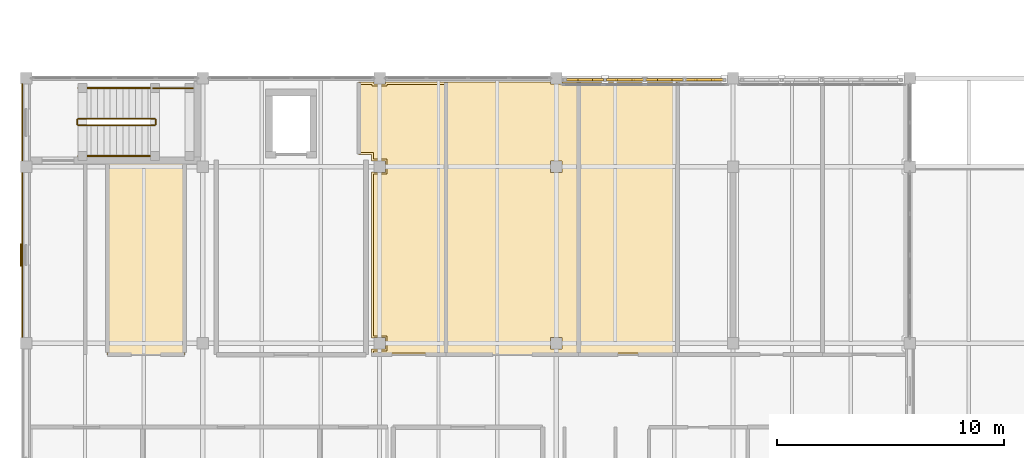
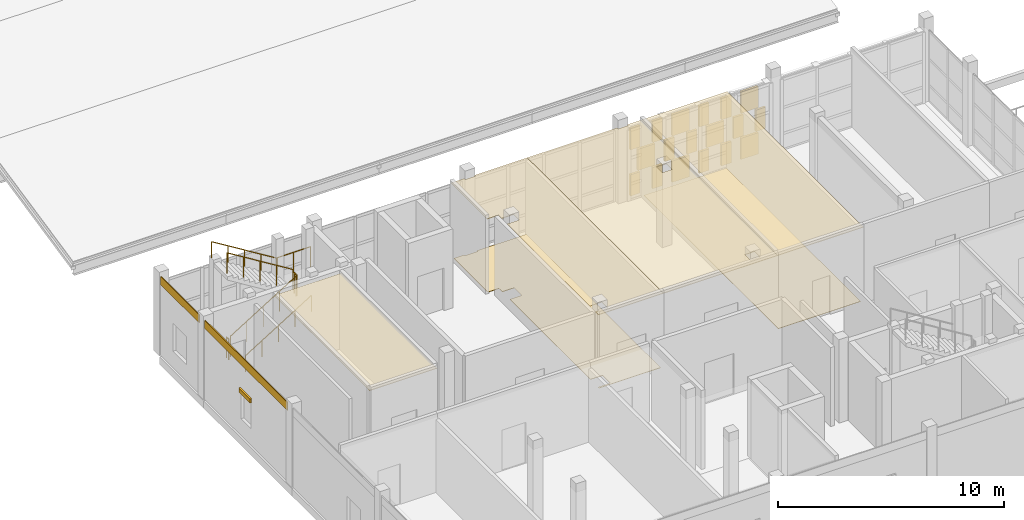
# One storey, part 75 of 89: 26 coverings, 7 railings, 1 shading device.
"""IFC4 building model written with IfcOpenShell, lengths in metres."""

from ifc_helpers import new_model, si_unit, direction, frame, origin, origin_2d, place, context, subcontext, project, spatial, polyline, rectangle, circle, outline, extrude, material, layer, layer_set, type_object, element, save


model = new_model("IFC4")

# Units and contexts
model_context = context("Model", 3, precision=1e-05, world=origin(), true_north=direction((0.0, 1.0)))
body_context = subcontext(model_context, "Body", "Model", "MODEL_VIEW")
ifc_project = project(units=[si_unit("LENGTHUNIT", "METRE"), si_unit("AREAUNIT", "SQUARE_METRE"), si_unit("VOLUMEUNIT", "CUBIC_METRE"), si_unit("PLANEANGLEUNIT", "RADIAN"), si_unit("MASSUNIT", "GRAM", prefix="KILO")], contexts=[model_context])

# Site, building, storey
site_placement = place(None, origin())
site = spatial("IfcSite", under=ifc_project, at=site_placement, CompositionType="ELEMENT")
building_placement = place(site_placement, origin())
building = spatial("IfcBuilding", under=site, at=building_placement, Name="Celorna Specialist Clinic", CompositionType="ELEMENT")
storey_placement = place(building_placement, frame((0.0, 0.0, 14.10009765625)))
storey = spatial("IfcBuildingStorey", under=building, at=storey_placement, Name="L03", CompositionType="ELEMENT", Elevation=14.10009765625)

# Coverings
ifc_material_1 = material(Name="Hygienic acoustic mineral-fibre ceiling")
ifc_layer_1 = layer(ifc_material_1, 0.030029296875, Name="Hygienic acoustic mineral-fibre ceiling")
ifc_layer_set_1 = layer_set([ifc_layer_1], Name="Hygienic acoustic mineral-fibre ceiling")
covering_type_1 = type_object("IfcCoveringType", Name="CE-01", PredefinedType="CEILING", material=ifc_layer_set_1)
covering_1_placement = place(storey_placement, frame((0.0, 0.0, 4.02978515625)))
element("IfcCovering", 1, at=covering_1_placement, inside=storey, type_object=covering_type_1, Name="Acoustic ceiling L03-046", PredefinedType="CEILING", context=body_context, shape_type="SweptSolid", body=[
    extrude(outline(polyline([(3.574951171875, 23.534912109375), (7.0048828125, 23.534912109375), (7.0048828125, 15.0849609375), (3.574951171875, 15.0849609375), (3.574951171875, 23.534912109375)])), origin(), (0.0, 0.0, 1.0), 0.030029296875),
])
covering_2_placement = place(storey_placement, frame((0.0, 0.0, 4.02978515625)))
element("IfcCovering", 2, at=covering_2_placement, inside=storey, type_object=covering_type_1, Name="Acoustic ceiling L03-047", PredefinedType="CEILING", context=body_context, shape_type="SweptSolid", body=[
    extrude(outline(polyline([(15.344970703125, 15.35498046875), (15.344970703125, 15.344970703125), (15.85498046875, 15.344970703125), (15.85498046875, 15.85498046875), (15.344970703125, 15.85498046875), (15.344970703125, 15.844970703125), (15.235107421875, 15.844970703125), (15.235107421875, 23.155029296875), (15.344970703125, 23.155029296875), (15.344970703125, 23.14501953125), (15.85498046875, 23.14501953125), (15.85498046875, 23.655029296875), (15.344970703125, 23.655029296875), (15.344970703125, 23.64501953125), (15.235107421875, 23.64501953125), (15.235107421875, 23.93505859375), (14.675048828125, 23.93505859375), (14.675048828125, 27.125), (15.344970703125, 27.125), (15.344970703125, 27.044921875), (15.85498046875, 27.044921875), (15.85498046875, 27.125), (18.554931640625, 27.125), (18.554931640625, 15.0849609375), (15.235107421875, 15.0849609375), (15.235107421875, 15.35498046875), (15.344970703125, 15.35498046875)])), origin(), (0.0, 0.0, 1.0), 0.030029296875),
])
covering_3_placement = place(storey_placement, frame((0.0, 0.0, 4.02978515625)))
element("IfcCovering", 3, at=covering_3_placement, inside=storey, type_object=covering_type_1, Name="Acoustic ceiling L03-048", PredefinedType="CEILING", context=body_context, shape_type="SweptSolid", body=[
    extrude(outline(polyline([(23.14501953125, 27.125), (23.14501953125, 27.044921875), (23.655029296875, 27.044921875), (23.655029296875, 27.125), (24.405029296875, 27.125), (24.405029296875, 15.0849609375), (18.52490234375, 15.0849609375), (18.52490234375, 27.125), (23.14501953125, 27.125)]), holes=[polyline([(23.14501953125, 15.85498046875), (23.14501953125, 15.344970703125), (23.655029296875, 15.344970703125), (23.655029296875, 15.85498046875), (23.14501953125, 15.85498046875)]), polyline([(23.14501953125, 23.655029296875), (23.14501953125, 23.14501953125), (23.655029296875, 23.14501953125), (23.655029296875, 23.655029296875), (23.14501953125, 23.655029296875)])]), origin(), (0.0, 0.0, 1.0), 0.030029296875),
])
covering_4_placement = place(storey_placement, frame((0.0, 0.0, 4.02978515625)))
element("IfcCovering", 4, at=covering_4_placement, inside=storey, type_object=covering_type_1, Name="Acoustic ceiling L03-049", PredefinedType="CEILING", context=body_context, shape_type="SweptSolid", body=[
    extrude(outline(polyline([(28.7548828125, 27.125), (28.7548828125, 15.0849609375), (24.375, 15.0849609375), (24.375, 27.125), (28.7548828125, 27.125)])), origin(), (0.0, 0.0, 1.0), 0.030029296875),
])
ifc_material_2 = material(Name="Pero Pinheiro Lioz limestone rainscreen cladding", Category="masonry")
ifc_layer_2 = layer(ifc_material_2, 0.044921875, Name="Pero Pinheiro Lioz limestone rainscreen cladding")
ifc_layer_set_2 = layer_set([ifc_layer_2], Name="Pero Pinheiro Lioz limestone rainscreen cladding")
covering_type_2 = type_object("IfcCoveringType", Name="CL-01", PredefinedType="CLADDING", material=ifc_layer_set_2)
covering_5_placement = place(storey_placement, frame((-0.16748046875, 19.5, 3.81982421875), z_axis=(0.0, 0.0, 1.0), x_axis=(0.0, 1.0, 0.0)))
element("IfcCovering", 5, at=covering_5_placement, inside=storey, type_object=covering_type_2, Name="Lioz spandrel cladding #357", PredefinedType="CLADDING", context=body_context, shape_type="SweptSolid", body=[
    extrude(rectangle(XDim=7.300048828125, YDim=0.044921875, at=origin_2d()), origin(), (0.0, 0.0, 1.0), 0.43994140625),
])
covering_6_placement = place(storey_placement, frame((-0.16748046875, 25.35009765625, 3.81982421875), z_axis=(0.0, 0.0, 1.0), x_axis=(0.0, 1.0, 0.0)))
element("IfcCovering", 6, at=covering_6_placement, inside=storey, type_object=covering_type_2, Name="Lioz spandrel cladding #358", PredefinedType="CLADDING", context=body_context, shape_type="SweptSolid", body=[
    extrude(rectangle(XDim=3.39990234375, YDim=0.044921875, at=origin_2d()), origin(), (0.0, 0.0, 1.0), 0.43994140625),
])
ifc_material_3 = material(Name="Perforated terracotta brick weave cladding", Category="masonry")
ifc_layer_3 = layer(ifc_material_3, 0.114990234375, Name="Perforated terracotta brick weave cladding")
ifc_layer_set_3 = layer_set([ifc_layer_3], Name="Perforated terracotta brick weave cladding")
covering_type_3 = type_object("IfcCoveringType", Name="CL-02", PredefinedType="CLADDING", material=ifc_layer_set_3)
for number, where, z_axis, x_axis, name in (
    (7, (24.099365234375, 27.22998046875, 0.10009765625), (0.0, 0.0, 1.0), (1.0, 0.0, 0.0), "Woven perforated terracotta brick course #1554"),
    (8, (25.235595703125, 27.22998046875, 0.10009765625), (0.0, 0.0, 1.0), (1.0, 0.0, 0.0), "Woven perforated terracotta brick course #1555"),
):
    element("IfcCovering", number, at=place(storey_placement, frame(where, z_axis=z_axis, x_axis=x_axis)), inside=storey, type_object=covering_type_3, Name=name, PredefinedType="CLADDING", context=body_context, shape_type="SweptSolid", body=[
        extrude(rectangle(XDim=0.498779296875, YDim=0.114990234375, at=origin_2d()), origin(), (0.0, 0.0, 1.0), 1.146728515625),
    ])
covering_7_placement = place(storey_placement, frame((24.66748046875, 27.22998046875, 1.3466796875), z_axis=(0.0, 0.0, 1.0), x_axis=(1.0, 0.0, 0.0)))
element("IfcCovering", 9, at=covering_7_placement, inside=storey, type_object=covering_type_3, Name="Woven perforated terracotta brick course #1556", PredefinedType="CLADDING", context=body_context, shape_type="SweptSolid", body=[
    extrude(rectangle(XDim=0.8828125, YDim=0.114990234375, at=origin_2d()), origin(), (0.0, 0.0, 1.0), 1.146484375),
])
for number, where, z_axis, x_axis, name in (
    (10, (24.099365234375, 27.22998046875, 2.59326171875), (0.0, 0.0, 1.0), (1.0, 0.0, 0.0), "Woven perforated terracotta brick course #1557"),
    (11, (25.235595703125, 27.22998046875, 2.59326171875), (0.0, 0.0, 1.0), (1.0, 0.0, 0.0), "Woven perforated terracotta brick course #1558"),
):
    element("IfcCovering", number, at=place(storey_placement, frame(where, z_axis=z_axis, x_axis=x_axis)), inside=storey, type_object=covering_type_3, Name=name, PredefinedType="CLADDING", context=body_context, shape_type="SweptSolid", body=[
        extrude(rectangle(XDim=0.498779296875, YDim=0.114990234375, at=origin_2d()), origin(), (0.0, 0.0, 1.0), 1.146728515625),
    ])
covering_8_placement = place(storey_placement, frame((26.422607421875, 27.22998046875, 0.10009765625), z_axis=(0.0, 0.0, 1.0), x_axis=(1.0, 0.0, 0.0)))
element("IfcCovering", 12, at=covering_8_placement, inside=storey, type_object=covering_type_3, Name="Woven perforated terracotta brick course #1559", PredefinedType="CLADDING", context=body_context, shape_type="SweptSolid", body=[
    extrude(rectangle(XDim=0.8828125, YDim=0.114990234375, at=origin_2d()), origin(), (0.0, 0.0, 1.0), 1.146728515625),
])
for number, where, z_axis, x_axis, name in (
    (13, (25.8544921875, 27.22998046875, 1.3466796875), (0.0, 0.0, 1.0), (1.0, 0.0, 0.0), "Woven perforated terracotta brick course #1560"),
    (14, (26.990478515625, 27.22998046875, 1.3466796875), (0.0, 0.0, 1.0), (1.0, 0.0, 0.0), "Woven perforated terracotta brick course #1561"),
):
    element("IfcCovering", number, at=place(storey_placement, frame(where, z_axis=z_axis, x_axis=x_axis)), inside=storey, type_object=covering_type_3, Name=name, PredefinedType="CLADDING", context=body_context, shape_type="SweptSolid", body=[
        extrude(rectangle(XDim=0.498779296875, YDim=0.114990234375, at=origin_2d()), origin(), (0.0, 0.0, 1.0), 1.146484375),
    ])
covering_9_placement = place(storey_placement, frame((26.422607421875, 27.22998046875, 2.59326171875), z_axis=(0.0, 0.0, 1.0), x_axis=(1.0, 0.0, 0.0)))
element("IfcCovering", 15, at=covering_9_placement, inside=storey, type_object=covering_type_3, Name="Woven perforated terracotta brick course #1562", PredefinedType="CLADDING", context=body_context, shape_type="SweptSolid", body=[
    extrude(rectangle(XDim=0.8828125, YDim=0.114990234375, at=origin_2d()), origin(), (0.0, 0.0, 1.0), 1.146728515625),
])
for number, where, z_axis, x_axis, name in (
    (16, (27.609375, 27.22998046875, 0.10009765625), (0.0, 0.0, 1.0), (1.0, 0.0, 0.0), "Woven perforated terracotta brick course #1563"),
    (17, (28.74560546875, 27.22998046875, 0.10009765625), (0.0, 0.0, 1.0), (1.0, 0.0, 0.0), "Woven perforated terracotta brick course #1564"),
):
    element("IfcCovering", number, at=place(storey_placement, frame(where, z_axis=z_axis, x_axis=x_axis)), inside=storey, type_object=covering_type_3, Name=name, PredefinedType="CLADDING", context=body_context, shape_type="SweptSolid", body=[
        extrude(rectangle(XDim=0.498779296875, YDim=0.114990234375, at=origin_2d()), origin(), (0.0, 0.0, 1.0), 1.146728515625),
    ])
covering_10_placement = place(storey_placement, frame((28.177490234375, 27.22998046875, 1.3466796875), z_axis=(0.0, 0.0, 1.0), x_axis=(1.0, 0.0, 0.0)))
element("IfcCovering", 18, at=covering_10_placement, inside=storey, type_object=covering_type_3, Name="Woven perforated terracotta brick course #1565", PredefinedType="CLADDING", context=body_context, shape_type="SweptSolid", body=[
    extrude(rectangle(XDim=0.8828125, YDim=0.114990234375, at=origin_2d()), origin(), (0.0, 0.0, 1.0), 1.146484375),
])
for number, where, z_axis, x_axis, name in (
    (19, (27.609375, 27.22998046875, 2.59326171875), (0.0, 0.0, 1.0), (1.0, 0.0, 0.0), "Woven perforated terracotta brick course #1566"),
    (20, (28.74560546875, 27.22998046875, 2.59326171875), (0.0, 0.0, 1.0), (1.0, 0.0, 0.0), "Woven perforated terracotta brick course #1567"),
):
    element("IfcCovering", number, at=place(storey_placement, frame(where, z_axis=z_axis, x_axis=x_axis)), inside=storey, type_object=covering_type_3, Name=name, PredefinedType="CLADDING", context=body_context, shape_type="SweptSolid", body=[
        extrude(rectangle(XDim=0.498779296875, YDim=0.114990234375, at=origin_2d()), origin(), (0.0, 0.0, 1.0), 1.146728515625),
    ])
covering_11_placement = place(storey_placement, frame((29.9326171875, 27.22998046875, 0.10009765625), z_axis=(0.0, 0.0, 1.0), x_axis=(1.0, 0.0, 0.0)))
element("IfcCovering", 21, at=covering_11_placement, inside=storey, type_object=covering_type_3, Name="Woven perforated terracotta brick course #1568", PredefinedType="CLADDING", context=body_context, shape_type="SweptSolid", body=[
    extrude(rectangle(XDim=0.8828125, YDim=0.114990234375, at=origin_2d()), origin(), (0.0, 0.0, 1.0), 1.146728515625),
])
for number, where, z_axis, x_axis, name in (
    (22, (29.3642578125, 27.22998046875, 1.3466796875), (0.0, 0.0, 1.0), (1.0, 0.0, 0.0), "Woven perforated terracotta brick course #1569"),
    (23, (30.500732421875, 27.22998046875, 1.3466796875), (0.0, 0.0, 1.0), (1.0, 0.0, 0.0), "Woven perforated terracotta brick course #1570"),
):
    element("IfcCovering", number, at=place(storey_placement, frame(where, z_axis=z_axis, x_axis=x_axis)), inside=storey, type_object=covering_type_3, Name=name, PredefinedType="CLADDING", context=body_context, shape_type="SweptSolid", body=[
        extrude(rectangle(XDim=0.498779296875, YDim=0.114990234375, at=origin_2d()), origin(), (0.0, 0.0, 1.0), 1.146484375),
    ])
covering_12_placement = place(storey_placement, frame((29.9326171875, 27.22998046875, 2.59326171875), z_axis=(0.0, 0.0, 1.0), x_axis=(1.0, 0.0, 0.0)))
element("IfcCovering", 24, at=covering_12_placement, inside=storey, type_object=covering_type_3, Name="Woven perforated terracotta brick course #1571", PredefinedType="CLADDING", context=body_context, shape_type="SweptSolid", body=[
    extrude(rectangle(XDim=0.8828125, YDim=0.114990234375, at=origin_2d()), origin(), (0.0, 0.0, 1.0), 1.146728515625),
])
ifc_material_4 = material(Name="Seamless antimicrobial clinical vinyl and Lioz terrazzo flooring")
ifc_layer_4 = layer(ifc_material_4, 0.02001953125, Name="Seamless antimicrobial clinical vinyl and Lioz terrazzo flooring")
ifc_layer_set_4 = layer_set([ifc_layer_4], Name="Seamless antimicrobial clinical vinyl and Lioz terrazzo flooring")
covering_type_4 = type_object("IfcCoveringType", Name="FL-01", PredefinedType="FLOORING", material=ifc_layer_set_4)
covering_13_placement = place(storey_placement, origin())
element("IfcCovering", 25, at=covering_13_placement, inside=storey, type_object=covering_type_4, Name="Antimicrobial clinical flooring L03-047", PredefinedType="FLOORING", context=body_context, shape_type="SweptSolid", body=[
    extrude(outline(polyline([(15.324951171875, 15.264892578125), (15.93505859375, 15.264892578125), (15.93505859375, 15.93505859375), (15.324951171875, 15.93505859375), (15.324951171875, 23.06494140625), (15.93505859375, 23.06494140625), (15.93505859375, 23.735107421875), (15.324951171875, 23.735107421875), (15.324951171875, 24.02490234375), (14.764892578125, 24.02490234375), (14.764892578125, 27.034912109375), (15.264892578125, 27.034912109375), (15.264892578125, 26.965087890625), (15.93505859375, 26.965087890625), (15.93505859375, 27.034912109375), (18.465087890625, 27.034912109375), (18.465087890625, 15.175048828125), (15.324951171875, 15.175048828125), (15.324951171875, 15.264892578125)])), origin(), (0.0, 0.0, 1.0), 0.02001953125),
])
covering_14_placement = place(storey_placement, origin())
element("IfcCovering", 26, at=covering_14_placement, inside=storey, type_object=covering_type_4, Name="Antimicrobial clinical flooring L03-049", PredefinedType="FLOORING", context=body_context, shape_type="SweptSolid", body=[
    extrude(outline(polyline([(24.465087890625, 27.034912109375), (28.6650390625, 27.034912109375), (28.6650390625, 15.175048828125), (24.465087890625, 15.175048828125), (24.465087890625, 27.034912109375)])), origin(), (0.0, 0.0, 1.0), 0.02001953125),
])

# Railings
ifc_material_5 = material(Name="Powder-coated steel S355", Category="steel")
railing_type_1 = type_object("IfcRailingType", Name="GR-01", PredefinedType="GUARDRAIL", material=ifc_material_5)
railing_1_placement = place(storey_placement, frame((2.31005859375, 25.219970703125, 0.173095703125)))
element("IfcRailing", 27, at=railing_1_placement, inside=storey, type_object=railing_type_1, Name="L03 ST-04 stair guard 1", PredefinedType="GUARDRAIL", context=body_context, shape_type="SweptSolid", body=[
    extrude(circle(Radius=0.02392578125, at=origin_2d()), frame((0.0, 0.0, 1.09619140625), z_axis=(0.850606129759, 0.0, 0.525803396734), x_axis=(0.0, 1.0, 0.0)), (0.0, 0.0, 1.0), 3.949951171875),
    extrude(circle(Radius=0.02099609375, at=origin_2d()), origin(), (0.0, 0.0, 1.0), 1.072021484375),
    extrude(circle(Radius=0.02099609375, at=origin_2d()), frame((0.83984375, 0.0, 0.519287109375)), (0.0, 0.0, 1.0), 1.072021484375),
    extrude(circle(Radius=0.02099609375, at=origin_2d()), frame((1.679931640625, 0.0, 1.03857421875)), (0.0, 0.0, 1.0), 1.072021484375),
    extrude(circle(Radius=0.02099609375, at=origin_2d()), frame((2.52001953125, 0.0, 1.5576171875)), (0.0, 0.0, 1.0), 1.072021484375),
    extrude(circle(Radius=0.02099609375, at=origin_2d()), frame((3.35986328125, 0.0, 2.076904296875)), (0.0, 0.0, 1.0), 1.072021484375),
])
railing_2_placement = place(storey_placement, frame((5.719970703125, 25.27001953125, 2.25)))
element("IfcRailing", 28, at=railing_2_placement, inside=storey, type_object=railing_type_1, Name="L03 ST-04 stair guard 2", PredefinedType="GUARDRAIL", context=body_context, shape_type="SweptSolid", body=[
    extrude(circle(Radius=0.02392578125, at=origin_2d()), frame((0.0, 0.0, 1.09619140625), z_axis=(0.0, 1.0, 0.0), x_axis=(-1.0, 0.0, 0.0)), (0.0, 0.0, 1.0), 0.199951171875),
    extrude(circle(Radius=0.02099609375, at=origin_2d()), origin(), (0.0, 0.0, 1.0), 1.072021484375),
    extrude(circle(Radius=0.02099609375, at=origin_2d()), frame((0.0, 0.199951171875, 0.0)), (0.0, 0.0, 1.0), 1.072021484375),
])
railing_3_placement = place(storey_placement, frame((5.669921875, 25.52001953125, 2.423095703125)))
element("IfcRailing", 29, at=railing_3_placement, inside=storey, type_object=railing_type_1, Name="L03 ST-04 stair guard 3", PredefinedType="GUARDRAIL", context=body_context, shape_type="SweptSolid", body=[
    extrude(circle(Radius=0.02392578125, at=origin_2d()), frame((0.0, 0.0, 1.09619140625), z_axis=(-0.850606129759, 0.0, 0.525803396734), x_axis=(0.0, -1.0, 0.0)), (0.0, 0.0, 1.0), 3.949951171875),
    extrude(circle(Radius=0.02099609375, at=origin_2d()), origin(), (0.0, 0.0, 1.0), 1.072021484375),
    extrude(circle(Radius=0.02099609375, at=origin_2d()), frame((-0.83984375, 0.0, 0.519287109375)), (0.0, 0.0, 1.0), 1.072021484375),
    extrude(circle(Radius=0.02099609375, at=origin_2d()), frame((-1.679931640625, 0.0, 1.03857421875)), (0.0, 0.0, 1.0), 1.072021484375),
    extrude(circle(Radius=0.02099609375, at=origin_2d()), frame((-2.52001953125, 0.0, 1.5576171875)), (0.0, 0.0, 1.0), 1.072021484375),
    extrude(circle(Radius=0.02099609375, at=origin_2d()), frame((-3.35986328125, 0.0, 2.076904296875)), (0.0, 0.0, 1.0), 1.072021484375),
])
railing_4_placement = place(storey_placement, frame((2.260009765625, 25.27001953125, 0.0)))
element("IfcRailing", 30, at=railing_4_placement, inside=storey, type_object=railing_type_1, Name="L03 ST-04 stair guard 4", PredefinedType="GUARDRAIL", context=body_context, shape_type="SweptSolid", body=[
    extrude(circle(Radius=0.02392578125, at=origin_2d()), frame((0.0, 0.0, 1.09619140625), z_axis=(0.0, 1.0, 0.0), x_axis=(-1.0, 0.0, 0.0)), (0.0, 0.0, 1.0), 0.199951171875),
    extrude(circle(Radius=0.02099609375, at=origin_2d()), origin(), (0.0, 0.0, 1.0), 1.072021484375),
    extrude(circle(Radius=0.02099609375, at=origin_2d()), frame((0.0, 0.199951171875, 0.0)), (0.0, 0.0, 1.0), 1.072021484375),
])
railing_5_placement = place(storey_placement, frame((5.610107421875, 26.860107421875, 2.25)))
element("IfcRailing", 31, at=railing_5_placement, inside=storey, type_object=railing_type_1, Name="Stair ST-04 half-landing guard L03", PredefinedType="GUARDRAIL", context=body_context, shape_type="SweptSolid", body=[
    extrude(circle(Radius=0.02392578125, at=origin_2d()), frame((0.0, 0.0, 1.09619140625), z_axis=(1.0, 0.0, 0.0), x_axis=(0.0, 1.0, 0.0)), (0.0, 0.0, 1.0), 1.739990234375),
    extrude(circle(Radius=0.02099609375, at=origin_2d()), origin(), (0.0, 0.0, 1.0), 1.072021484375),
    extrude(circle(Radius=0.02099609375, at=origin_2d()), frame((0.8701171875, 0.0, 0.0)), (0.0, 0.0, 1.0), 1.072021484375),
    extrude(circle(Radius=0.02099609375, at=origin_2d()), frame((1.739990234375, 0.0, 0.0)), (0.0, 0.0, 1.0), 1.072021484375),
])
ifc_material_6 = material(Name="Brushed stainless steel handrail", Category="steel")
railing_type_2 = type_object("IfcRailingType", Name="HR-01", PredefinedType="HANDRAIL", material=ifc_material_6)
railing_6_placement = place(storey_placement, frame((2.31005859375, 23.8701171875, 0.173095703125)))
element("IfcRailing", 32, at=railing_6_placement, inside=storey, type_object=railing_type_2, Name="L03 ST-04 stair handrail 1", PredefinedType="HANDRAIL", context=body_context, shape_type="SweptSolid", body=[
    extrude(circle(Radius=0.02392578125, at=origin_2d()), frame((0.0, 0.0, 0.8759765625), z_axis=(0.850606129759, 0.0, 0.525803396734), x_axis=(0.0, 1.0, 0.0)), (0.0, 0.0, 1.0), 3.949951171875),
    extrude(circle(Radius=0.02099609375, at=origin_2d()), origin(), (0.0, 0.0, 1.0), 0.851806640625),
    extrude(circle(Radius=0.02099609375, at=origin_2d()), frame((0.83984375, 0.0, 0.519287109375)), (0.0, 0.0, 1.0), 0.851806640625),
    extrude(circle(Radius=0.02099609375, at=origin_2d()), frame((1.679931640625, 0.0, 1.03857421875)), (0.0, 0.0, 1.0), 0.851806640625),
    extrude(circle(Radius=0.02099609375, at=origin_2d()), frame((2.52001953125, 0.0, 1.5576171875)), (0.0, 0.0, 1.0), 0.851806640625),
    extrude(circle(Radius=0.02099609375, at=origin_2d()), frame((3.35986328125, 0.0, 2.076904296875)), (0.0, 0.0, 1.0), 0.851806640625),
])
railing_7_placement = place(storey_placement, frame((5.669921875, 26.8701171875, 2.423095703125)))
element("IfcRailing", 33, at=railing_7_placement, inside=storey, type_object=railing_type_2, Name="L03 ST-04 stair handrail 2", PredefinedType="HANDRAIL", context=body_context, shape_type="SweptSolid", body=[
    extrude(circle(Radius=0.02392578125, at=origin_2d()), frame((0.0, 0.0, 0.8759765625), z_axis=(-0.850606129759, 0.0, 0.525803396734), x_axis=(0.0, -1.0, 0.0)), (0.0, 0.0, 1.0), 3.949951171875),
    extrude(circle(Radius=0.02099609375, at=origin_2d()), origin(), (0.0, 0.0, 1.0), 0.851806640625),
    extrude(circle(Radius=0.02099609375, at=origin_2d()), frame((-0.83984375, 0.0, 0.519287109375)), (0.0, 0.0, 1.0), 0.851806640625),
    extrude(circle(Radius=0.02099609375, at=origin_2d()), frame((-1.679931640625, 0.0, 1.03857421875)), (0.0, 0.0, 1.0), 0.851806640625),
    extrude(circle(Radius=0.02099609375, at=origin_2d()), frame((-2.52001953125, 0.0, 1.5576171875)), (0.0, 0.0, 1.0), 0.851806640625),
    extrude(circle(Radius=0.02099609375, at=origin_2d()), frame((-3.35986328125, 0.0, 2.076904296875)), (0.0, 0.0, 1.0), 0.851806640625),
])

# Shading device
ifc_material_7 = material(Name="Anodized aluminium solar louvre", Category="aluminium")
ifc_layer_5 = layer(ifc_material_7, 0.080078125, Name="Anodized aluminium solar louvre")
ifc_layer_set_5 = layer_set([ifc_layer_5], Name="Anodized aluminium solar louvre")
shading_device_type = type_object("IfcShadingDeviceType", Name="LV-01", PredefinedType="JALOUSIE", material=ifc_layer_set_5)
shading_device_placement = place(storey_placement, frame((-0.22998046875, 19.5, 2.33984375), z_axis=(0.0, 0.0, 1.0), x_axis=(0.0, 1.0, 0.0)))
element("IfcShadingDevice", 34, at=shading_device_placement, inside=storey, type_object=shading_device_type, Name="External solar louvre LV-01 #222", PredefinedType="JALOUSIE", context=body_context, shape_type="SweptSolid", body=[
    extrude(rectangle(XDim=1.0, YDim=0.080078125, at=origin_2d()), origin(), (0.0, 0.0, 1.0), 0.219970703125),
])

save(model, "model.ifc")
